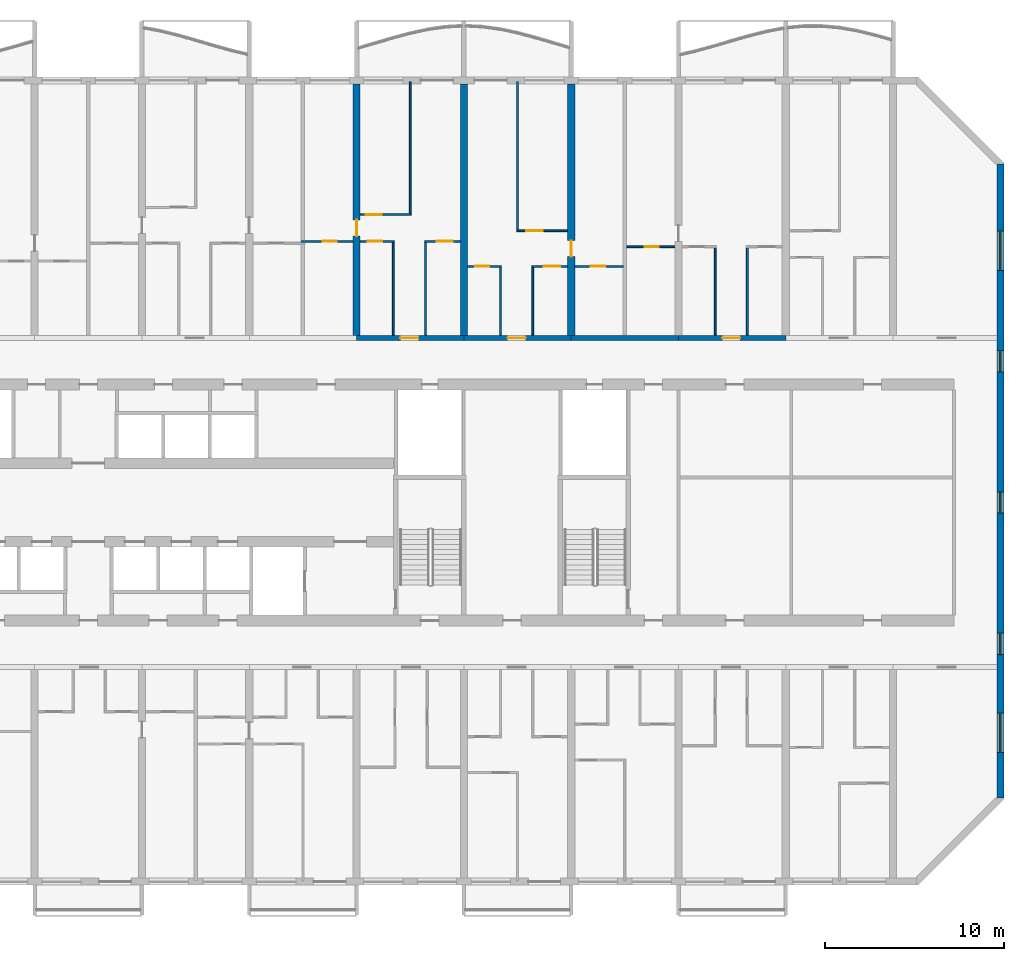
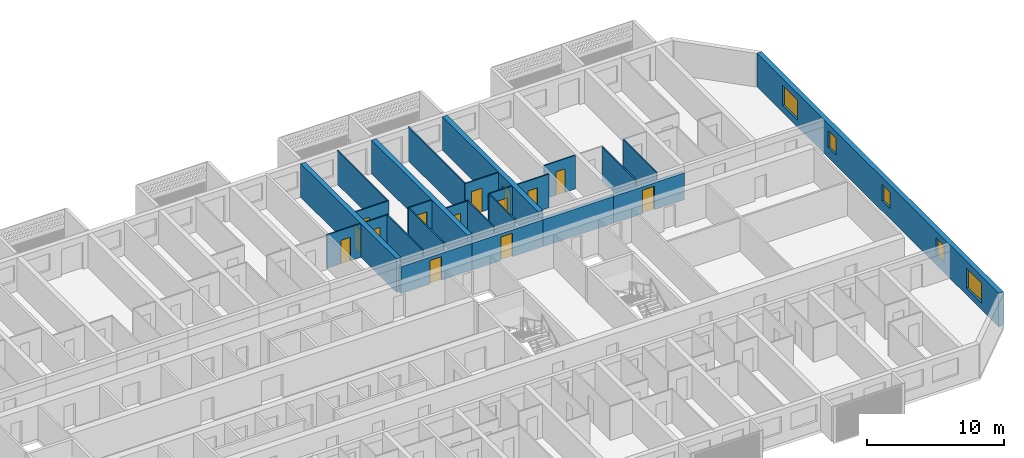
# One storey, part 16 of 38: 25 walls, 14 doors, 5 windows, 19 openings.
"""IFC4 building model written with IfcOpenShell, lengths in metres."""

import ifcopenshell
import ifcopenshell.guid

model = None  # the IFC model being written
_history = None  # IfcOwnerHistory: only IFC2X3 demands one
_inside = {}  # id of a spatial element -> (the spatial element, [elements in it])
_under = {}  # id of a project, library or spatial element -> (it, [spatial elements below it])
_declared = {}  # id of a project -> (the project, [libraries it declares])
_typed = {}  # id of a type object -> (the type object, [elements of that type])
_made_of = {}  # id of a material, layer set ... -> (it, [elements and type objects made of it])


def new_model(schema):
    """Start an empty IFC model of exactly this schema.

    Asked for "IFC4X3", IfcOpenShell would pick the latest addendum, in which some entities
    have other attributes; the version numbers below select the first issue.
    IFC2X3 requires an IfcOwnerHistory on every rooted entity: one is made here for all.
    """
    global model, _history
    if schema == "IFC4X3":
        model = ifcopenshell.file(schema_version=(4, 3, 0, 0))
    else:
        model = ifcopenshell.file(schema=schema)
    _inside.clear()
    _under.clear()
    _declared.clear()
    _typed.clear()
    _made_of.clear()
    _history = None
    if model.schema == "IFC2X3":
        org = make("IfcOrganization", Name="unknown")
        user = make(
            "IfcPersonAndOrganization",
            ThePerson=make("IfcPerson", FamilyName="unknown"),
            TheOrganization=org,
        )
        app = make(
            "IfcApplication",
            ApplicationDeveloper=org,
            Version="unknown",
            ApplicationFullName="unknown",
            ApplicationIdentifier="unknown",
        )
        _history = make(
            "IfcOwnerHistory",
            OwningUser=user,
            OwningApplication=app,
            ChangeAction="ADDED",
            CreationDate=0,
        )
    return model


def make(cls, **values):
    """One entity of the class cls with the attributes given. An attribute that is None is left unset."""
    return model.create_entity(
        cls, **{name: value for name, value in values.items() if value is not None}
    )


def rooted(cls, **values):
    """An entity with a GlobalId (a new one), such as an element, a storey or a relation."""
    return make(cls, GlobalId=ifcopenshell.guid.new(), OwnerHistory=_history, **values)


def si_unit(unit_type, name, prefix=None):
    """IfcSIUnit, for example si_unit("LENGTHUNIT", "METRE", prefix="MILLI")."""
    return make("IfcSIUnit", UnitType=unit_type, Prefix=prefix, Name=name)


def assignment(units):
    """IfcUnitAssignment: the units of a project."""
    return None if units is None else make("IfcUnitAssignment", Units=units)


def point(xyz):
    """IfcCartesianPoint."""
    return None if xyz is None else make("IfcCartesianPoint", Coordinates=xyz)


def direction(xyz):
    """IfcDirection."""
    return None if xyz is None else make("IfcDirection", DirectionRatios=xyz)


def frame(location, z_axis=None, x_axis=None):
    """IfcAxis2Placement3D, a coordinate frame: its origin and axes. An axis left out is left unset."""
    return make(
        "IfcAxis2Placement3D",
        Location=point(location),
        Axis=direction(z_axis),
        RefDirection=direction(x_axis),
    )


def frame_2d(location, x_axis=None):
    """IfcAxis2Placement2D, a coordinate frame in the plane: its origin and x axis."""
    return make(
        "IfcAxis2Placement2D", Location=point(location), RefDirection=direction(x_axis)
    )


def origin():
    """The frame at (0, 0, 0) with its axes left unset."""
    return frame((0.0, 0.0, 0.0))


def place(relative_to, where):
    """IfcLocalPlacement: puts the frame where relative to a parent placement (None: the world)."""
    return make(
        "IfcLocalPlacement", PlacementRelTo=relative_to, RelativePlacement=where
    )


def context(
    kind, dimensions, precision=None, world=None, true_north=None, identifier=None
):
    """IfcGeometricRepresentationContext, for example the 3D "Model" context."""
    return make(
        "IfcGeometricRepresentationContext",
        ContextIdentifier=identifier,
        ContextType=kind,
        CoordinateSpaceDimension=dimensions,
        Precision=precision,
        WorldCoordinateSystem=world,
        TrueNorth=true_north,
    )


def subcontext(parent, identifier, kind, view, scale=None):
    """IfcGeometricRepresentationSubContext, for example "Body" below "Model"."""
    return make(
        "IfcGeometricRepresentationSubContext",
        ContextIdentifier=identifier,
        ContextType=kind,
        ParentContext=parent,
        TargetScale=scale,
        TargetView=view,
    )


def project(units=None, contexts=None):
    """IfcProject with its units and contexts."""
    return rooted(
        "IfcProject",
        Name="project",
        RepresentationContexts=contexts,
        UnitsInContext=assignment(units),
    )


def spatial(cls, under=None, at=None, **own):
    """A site, building, storey or space (cls), placed at a placement, below another one or the project."""
    s = rooted(cls, ObjectPlacement=at, **own)
    if under is not None:
        _under.setdefault(under.id(), (under, []))[1].append(s)
    return s


def profile(cls, at=None, kind="AREA", **sizes):
    """A parametric profile (cls). Its sizes go by their IFC names, for example OverallWidth=200.0."""
    return make(cls, ProfileType=kind, Position=at, **sizes)


def rectangle(**sizes):
    """IfcRectangleProfileDef."""
    return profile("IfcRectangleProfileDef", **sizes)


def extrude(swept, where, along, depth):
    """IfcExtrudedAreaSolid: the profile swept, set in the frame where, extruded along a direction by depth."""
    return make(
        "IfcExtrudedAreaSolid",
        SweptArea=swept,
        Position=where,
        ExtrudedDirection=direction(along),
        Depth=depth,
    )


def shape(context_of_items, identifier, shape_type, items):
    """IfcShapeRepresentation: the items that make up one representation, for example the "Body"."""
    return make(
        "IfcShapeRepresentation",
        ContextOfItems=context_of_items,
        RepresentationIdentifier=identifier,
        RepresentationType=shape_type,
        Items=items,
    )


def material(Name=None, Category=None):
    """IfcMaterial."""
    return make("IfcMaterial", Name=Name, Category=Category)


def layer(
    of_material, thickness, ventilated=None, Name=None, Category=None, Priority=None
):
    """IfcMaterialLayer: one layer of a wall or slab, of a material (None: an air gap)."""
    return make(
        "IfcMaterialLayer",
        Material=of_material,
        LayerThickness=thickness,
        IsVentilated=ventilated,
        Name=Name,
        Category=Category,
        Priority=Priority,
    )


def layer_set(layers, Name=None):
    """IfcMaterialLayerSet."""
    return make("IfcMaterialLayerSet", MaterialLayers=layers, LayerSetName=Name)


def made_of(thing, what):
    """Note that an element or type object is made of a material, layer set ...; save() writes the relation."""
    if what is not None:
        _made_of.setdefault(what.id(), (what, []))[1].append(thing)
    return thing


def type_object(cls, material=None, **own):
    """A type object (cls), such as IfcWallType, which elements share."""
    return made_of(rooted(cls, **own), material)


def element(
    cls,
    number,
    at=None,
    inside=None,
    cuts=None,
    type_object=None,
    material=None,
    context=None,
    identifier="Body",
    shape_type=None,
    held_by="IfcProductDefinitionShape",
    body=None,
    shapes=None,
    **own,
):
    """One element of the class cls, such as IfcWall. Its Tag is "e" and its number.

    at: its placement. inside: the storey or other place that contains it. cuts: it is an
    opening in that element (IfcRelVoidsElement). A single representation is given by context,
    identifier, shape_type and body (its items); several are given by shapes. held_by: the class
    of the entity that holds the representations. save() writes the other relations.
    """
    e = rooted(cls, Tag="e%d" % number, ObjectPlacement=at, **own)
    if body is not None:
        shapes = [shape(context, identifier, shape_type, body)]
    if shapes is not None:
        e.Representation = make(held_by, Representations=shapes)
    if inside is not None:
        _inside.setdefault(inside.id(), (inside, []))[1].append(e)
    if cuts is not None:
        rooted(
            "IfcRelVoidsElement", RelatingBuildingElement=cuts, RelatedOpeningElement=e
        )
    if type_object is not None:
        _typed.setdefault(type_object.id(), (type_object, []))[1].append(e)
    return made_of(e, material)


def fill(opening, filler):
    """IfcRelFillsElement: the door or window that sits in an opening."""
    return rooted(
        "IfcRelFillsElement",
        RelatingOpeningElement=opening,
        RelatedBuildingElement=filler,
    )


def aggregate(whole, parts):
    """IfcRelAggregates: a whole, such as a stair, and the parts it consists of."""
    return rooted("IfcRelAggregates", RelatingObject=whole, RelatedObjects=parts)


def save(model, path):
    """Write the relations noted so far, then the file.

    IfcRelAggregates (storeys below a building ...), IfcRelContainedInSpatialStructure (elements
    in a storey), IfcRelDefinesByType, IfcRelAssociatesMaterial and IfcRelDeclares: one each for
    every whole, place, type object, material and project.
    """
    for whole, parts in _under.values():
        aggregate(whole, parts)
    for where, things in _inside.values():
        rooted(
            "IfcRelContainedInSpatialStructure",
            RelatedElements=things,
            RelatingStructure=where,
        )
    for kind, things in _typed.values():
        rooted("IfcRelDefinesByType", RelatedObjects=things, RelatingType=kind)
    for what, things in _made_of.values():
        rooted("IfcRelAssociatesMaterial", RelatedObjects=things, RelatingMaterial=what)
    for by, libraries in _declared.values():
        rooted("IfcRelDeclares", RelatingContext=by, RelatedDefinitions=libraries)
    model.write(path)


model = new_model("IFC4")

# Units and contexts
model_context = context("Model", 3, precision=1e-05, world=origin(), true_north=direction((0.0, 1.0)))
body_context = subcontext(model_context, "Body", "Model", "MODEL_VIEW")
ifc_project = project(units=[si_unit("LENGTHUNIT", "METRE"), si_unit("AREAUNIT", "SQUARE_METRE"), si_unit("VOLUMEUNIT", "CUBIC_METRE"), si_unit("PLANEANGLEUNIT", "RADIAN"), si_unit("MASSUNIT", "GRAM", prefix="KILO")], contexts=[model_context])

# Site, building, storey
site_placement = place(None, origin())
site = spatial("IfcSite", under=ifc_project, at=site_placement, CompositionType="ELEMENT")
building_placement = place(site_placement, origin())
building = spatial("IfcBuilding", under=site, at=building_placement, Name="Poui Terraces", CompositionType="ELEMENT")
storey_placement = place(building_placement, frame((0.0, 0.0, 49.800048828125)))
storey = spatial("IfcBuildingStorey", under=building, at=storey_placement, Name="L13", CompositionType="ELEMENT", Elevation=49.800048828125)

# Wall, opening, door
ifc_material_1 = material(Name="Concrete 80 MPa", Category="concrete")
ifc_layer_1 = layer(ifc_material_1, 0.300048828125)
ifc_layer_set_1 = layer_set([ifc_layer_1], Name="Concrete 80 MPa")
wall_type_1 = type_object("IfcWallType", Name="CORRIDOR WALL 300 80MPa", PredefinedType="SHEAR", material=ifc_layer_set_1)
wall_1_placement = place(storey_placement, frame((66.0, 30.39990234375, 0.0), z_axis=(0.0, 0.0, 1.0), x_axis=(1.0, 0.0, 0.0)))
wall_1 = element("IfcWall", 1, at=wall_1_placement, inside=storey, type_object=wall_type_1, Name="CORRIDOR WALL LINE E BAY 12", PredefinedType="SHEAR", context=body_context, shape_type="SweptSolid", body=[
    extrude(rectangle(XDim=6.0, YDim=0.300048828125, at=frame_2d((3.0, 0.0))), origin(), (0.0, 0.0, 1.0), 2.39990234375),
])
opening_1_placement = place(wall_1_placement, frame((2.449951171875, 0.0, 0.0)))
opening_1 = element("IfcOpeningElement", 2, at=opening_1_placement, cuts=wall_1, Name="Opening FD30S", PredefinedType="OPENING", context=body_context, shape_type="SweptSolid", body=[
    extrude(rectangle(XDim=1.0, YDim=2.10009765625, at=frame_2d((0.5, 1.050048828125))), frame((0.0, 0.16015625, 0.0), z_axis=(0.0, -1.0, 0.0), x_axis=(1.0, 0.0, 0.0)), (0.0, 0.0, 1.0), 0.320068359375),
])
ifc_material_2 = material(Name="Steel fire door", Category="steel")
door_type_1 = type_object("IfcDoorType", Name="FLAT ENTRANCE DOOR 1000 X 2100", OperationType="NOTDEFINED", PredefinedType="DOOR", material=ifc_material_2)
door_1_placement = place(opening_1_placement, origin())
door_1 = element("IfcDoor", 3, at=door_1_placement, inside=storey, type_object=door_type_1, Name="FLAT ENTRANCE DOOR 073", OperationType="SINGLE_SWING_LEFT", OverallHeight=2.10009765625, OverallWidth=1.0, PredefinedType="DOOR", context=body_context, shape_type="SweptSolid", body=[
    extrude(rectangle(XDim=1.0, YDim=2.10009765625, at=frame_2d((0.5, 1.050048828125))), frame((0.0, 0.02490234375, 0.0), z_axis=(0.0, -1.0, 0.0), x_axis=(1.0, 0.0, 0.0)), (0.0, 0.0, 1.0), 0.050048828125),
])
fill(opening_1, door_1)

wall_2_placement = place(storey_placement, frame((72.0, 30.39990234375, 0.0), z_axis=(0.0, 0.0, 1.0), x_axis=(1.0, 0.0, 0.0)))
wall_2 = element("IfcWall", 4, at=wall_2_placement, inside=storey, type_object=wall_type_1, Name="CORRIDOR WALL LINE E BAY 13", PredefinedType="SHEAR", context=body_context, shape_type="SweptSolid", body=[
    extrude(rectangle(XDim=6.0, YDim=0.300048828125, at=frame_2d((3.0, 0.0))), origin(), (0.0, 0.0, 1.0), 2.39990234375),
])
opening_2_placement = place(wall_2_placement, frame((2.449951171875, 0.0, 0.0)))
opening_2 = element("IfcOpeningElement", 5, at=opening_2_placement, cuts=wall_2, Name="Opening FD30S", PredefinedType="OPENING", context=body_context, shape_type="SweptSolid", body=[
    extrude(rectangle(XDim=1.0, YDim=2.10009765625, at=frame_2d((0.5, 1.050048828125))), frame((0.0, 0.16015625, 0.0), z_axis=(0.0, -1.0, 0.0), x_axis=(1.0, 0.0, 0.0)), (0.0, 0.0, 1.0), 0.320068359375),
])
door_2_placement = place(opening_2_placement, origin())
door_2 = element("IfcDoor", 6, at=door_2_placement, inside=storey, type_object=door_type_1, Name="FLAT ENTRANCE DOOR 077", OperationType="SINGLE_SWING_LEFT", OverallHeight=2.10009765625, OverallWidth=1.0, PredefinedType="DOOR", context=body_context, shape_type="SweptSolid", body=[
    extrude(rectangle(XDim=1.0, YDim=2.10009765625, at=frame_2d((0.5, 1.050048828125))), frame((0.0, 0.02490234375, 0.0), z_axis=(0.0, -1.0, 0.0), x_axis=(1.0, 0.0, 0.0)), (0.0, 0.0, 1.0), 0.050048828125),
])
fill(opening_2, door_2)

# Wall
wall_3_placement = place(storey_placement, frame((78.0, 30.39990234375, 0.0), z_axis=(0.0, 0.0, 1.0), x_axis=(1.0, 0.0, 0.0)))
element("IfcWall", 7, at=wall_3_placement, inside=storey, type_object=wall_type_1, Name="CORRIDOR WALL LINE E BAY 14", PredefinedType="SHEAR", context=body_context, shape_type="SweptSolid", body=[
    extrude(rectangle(XDim=6.0, YDim=0.300048828125, at=frame_2d((3.0, 0.0))), origin(), (0.0, 0.0, 1.0), 2.39990234375),
])

# Wall, opening, door
wall_4_placement = place(storey_placement, frame((84.0, 30.39990234375, 0.0), z_axis=(0.0, 0.0, 1.0), x_axis=(1.0, 0.0, 0.0)))
wall_4 = element("IfcWall", 8, at=wall_4_placement, inside=storey, type_object=wall_type_1, Name="CORRIDOR WALL LINE E BAY 15", PredefinedType="SHEAR", context=body_context, shape_type="SweptSolid", body=[
    extrude(rectangle(XDim=6.0, YDim=0.300048828125, at=frame_2d((3.0, 0.0))), origin(), (0.0, 0.0, 1.0), 2.39990234375),
])
opening_3_placement = place(wall_4_placement, frame((2.449951171875, 0.0, 0.0)))
opening_3 = element("IfcOpeningElement", 9, at=opening_3_placement, cuts=wall_4, Name="Opening FD30S", PredefinedType="OPENING", context=body_context, shape_type="SweptSolid", body=[
    extrude(rectangle(XDim=1.0, YDim=2.10009765625, at=frame_2d((0.5, 1.050048828125))), frame((0.0, 0.16015625, 0.0), z_axis=(0.0, -1.0, 0.0), x_axis=(1.0, 0.0, 0.0)), (0.0, 0.0, 1.0), 0.320068359375),
])
door_3_placement = place(opening_3_placement, origin())
door_3 = element("IfcDoor", 10, at=door_3_placement, inside=storey, type_object=door_type_1, Name="FLAT ENTRANCE DOOR 084", OperationType="SINGLE_SWING_LEFT", OverallHeight=2.10009765625, OverallWidth=1.0, PredefinedType="DOOR", context=body_context, shape_type="SweptSolid", body=[
    extrude(rectangle(XDim=1.0, YDim=2.10009765625, at=frame_2d((0.5, 1.050048828125))), frame((0.0, 0.02490234375, 0.0), z_axis=(0.0, -1.0, 0.0), x_axis=(1.0, 0.0, 0.0)), (0.0, 0.0, 1.0), 0.050048828125),
])
fill(opening_3, door_3)

ifc_layer_2 = layer(ifc_material_1, 0.39990234375)
ifc_layer_set_2 = layer_set([ifc_layer_2], Name="Concrete 80 MPa")
wall_type_2 = type_object("IfcWallType", Name="CROSS WALL 400 80MPa", PredefinedType="SHEAR", material=ifc_layer_set_2)
wall_5_placement = place(storey_placement, frame((66.0, 30.550048828125, 0.0), z_axis=(0.0, 0.0, 1.0), x_axis=(0.0, 1.0, 0.0)))
wall_5 = element("IfcWall", 11, at=wall_5_placement, inside=storey, type_object=wall_type_2, Name="CROSS WALL LINE 12 NORTH", PredefinedType="SHEAR", context=body_context, shape_type="SweptSolid", body=[
    extrude(rectangle(XDim=14.050048828125, YDim=0.39990234375, at=frame_2d((7.02490234375, 0.0))), origin(), (0.0, 0.0, 1.0), 3.0),
])
opening_4_placement = place(wall_5_placement, frame((5.550048828125, 0.0, 0.0)))
opening_4 = element("IfcOpeningElement", 12, at=opening_4_placement, cuts=wall_5, Name="Opening D90", PredefinedType="OPENING", context=body_context, shape_type="SweptSolid", body=[
    extrude(rectangle(XDim=0.89990234375, YDim=2.10009765625, at=frame_2d((0.449951171875, 1.050048828125))), frame((0.0, 0.2099609375, 0.0), z_axis=(0.0, -1.0, 0.0), x_axis=(1.0, 0.0, 0.0)), (0.0, 0.0, 1.0), 0.419921875),
])
ifc_material_3 = material(Name="Solid core timber door", Category="wood")
door_type_2 = type_object("IfcDoorType", Name="INTERNAL DOOR 900 X 2100", OperationType="NOTDEFINED", PredefinedType="DOOR", material=ifc_material_3)
door_4_placement = place(opening_4_placement, origin())
door_4 = element("IfcDoor", 13, at=door_4_placement, inside=storey, type_object=door_type_2, Name="INTERNAL DOOR 070", OperationType="SINGLE_SWING_LEFT", OverallHeight=2.10009765625, OverallWidth=0.89990234375, PredefinedType="DOOR", context=body_context, shape_type="SweptSolid", body=[
    extrude(rectangle(XDim=0.89990234375, YDim=2.10009765625, at=frame_2d((0.449951171875, 1.050048828125))), frame((0.0, 0.02490234375, 0.0), z_axis=(0.0, -1.0, 0.0), x_axis=(1.0, 0.0, 0.0)), (0.0, 0.0, 1.0), 0.050048828125),
])
fill(opening_4, door_4)

# Wall
wall_6_placement = place(storey_placement, frame((72.0, 30.550048828125, 0.0), z_axis=(0.0, 0.0, 1.0), x_axis=(0.0, 1.0, 0.0)))
element("IfcWall", 14, at=wall_6_placement, inside=storey, type_object=wall_type_2, Name="CROSS WALL LINE 13 NORTH", PredefinedType="SHEAR", context=body_context, shape_type="SweptSolid", body=[
    extrude(rectangle(XDim=14.050048828125, YDim=0.39990234375, at=frame_2d((7.02490234375, 0.0))), origin(), (0.0, 0.0, 1.0), 3.0),
])

# Wall, opening, door
wall_7_placement = place(storey_placement, frame((78.0, 30.550048828125, 0.0), z_axis=(0.0, 0.0, 1.0), x_axis=(0.0, 1.0, 0.0)))
wall_7 = element("IfcWall", 15, at=wall_7_placement, inside=storey, type_object=wall_type_2, Name="CROSS WALL LINE 14 NORTH", PredefinedType="SHEAR", context=body_context, shape_type="SweptSolid", body=[
    extrude(rectangle(XDim=14.050048828125, YDim=0.39990234375, at=frame_2d((7.02490234375, 0.0))), origin(), (0.0, 0.0, 1.0), 3.0),
])
opening_5_placement = place(wall_7_placement, frame((4.39990234375, 0.0, 0.0)))
opening_5 = element("IfcOpeningElement", 16, at=opening_5_placement, cuts=wall_7, Name="Opening D90", PredefinedType="OPENING", context=body_context, shape_type="SweptSolid", body=[
    extrude(rectangle(XDim=0.89990234375, YDim=2.10009765625, at=frame_2d((0.449951171875, 1.050048828125))), frame((0.0, 0.2099609375, 0.0), z_axis=(0.0, -1.0, 0.0), x_axis=(1.0, 0.0, 0.0)), (0.0, 0.0, 1.0), 0.419921875),
])
door_5_placement = place(opening_5_placement, frame((0.89990234375, 0.0, 0.0), z_axis=(0.0, 0.0, 1.0), x_axis=(-1.0, 0.0, 0.0)))
door_5 = element("IfcDoor", 17, at=door_5_placement, inside=storey, type_object=door_type_2, Name="INTERNAL DOOR 080", OperationType="SINGLE_SWING_RIGHT", OverallHeight=2.10009765625, OverallWidth=0.89990234375, PredefinedType="DOOR", context=body_context, shape_type="SweptSolid", body=[
    extrude(rectangle(XDim=0.89990234375, YDim=2.10009765625, at=frame_2d((0.449951171875, 1.050048828125))), frame((0.0, 0.02490234375, 0.0), z_axis=(0.0, -1.0, 0.0), x_axis=(1.0, 0.0, 0.0)), (0.0, 0.0, 1.0), 0.050048828125),
])
fill(opening_5, door_5)

# Wall, openings, windows
ifc_layer_3 = layer(ifc_material_1, 0.39990234375)
ifc_layer_set_3 = layer_set([ifc_layer_3], Name="Concrete 80 MPa")
wall_type_3 = type_object("IfcWallType", Name="END WALL 400 80MPa", PredefinedType="SHEAR", material=ifc_layer_set_3)
wall_8_placement = place(storey_placement, frame((102.0, 4.682861328125, 0.0), z_axis=(0.0, 0.0, 1.0), x_axis=(0.0, 1.0, 0.0)))
wall_8 = element("IfcWall", 18, at=wall_8_placement, inside=storey, type_object=wall_type_3, Name="END WALL EAST", PredefinedType="SHEAR", context=body_context, shape_type="SweptSolid", body=[
    extrude(rectangle(XDim=35.434326171875, YDim=0.39990234375, at=frame_2d((17.71728515625, 0.0))), origin(), (0.0, 0.0, 1.0), 3.0),
])
opening_6_placement = place(wall_8_placement, frame((15.917236328125, 0.0, 0.89990234375)))
opening_6 = element("IfcOpeningElement", 19, at=opening_6_placement, cuts=wall_8, Name="Opening W2", PredefinedType="OPENING", context=body_context, shape_type="SweptSolid", body=[
    extrude(rectangle(XDim=1.199951171875, YDim=1.5, at=frame_2d((0.60009765625, 0.75))), frame((0.0, 0.2099609375, 0.0), z_axis=(0.0, -1.0, 0.0), x_axis=(1.0, 0.0, 0.0)), (0.0, 0.0, 1.0), 0.419921875),
])
opening_7_placement = place(wall_8_placement, frame((23.817138671875, 0.0, 0.89990234375)))
opening_7 = element("IfcOpeningElement", 20, at=opening_7_placement, cuts=wall_8, Name="Opening W2", PredefinedType="OPENING", context=body_context, shape_type="SweptSolid", body=[
    extrude(rectangle(XDim=1.199951171875, YDim=1.5, at=frame_2d((0.60009765625, 0.75))), frame((0.0, 0.2099609375, 0.0), z_axis=(0.0, -1.0, 0.0), x_axis=(1.0, 0.0, 0.0)), (0.0, 0.0, 1.0), 0.419921875),
])
opening_8_placement = place(wall_8_placement, frame((8.01708984375, 0.0, 0.89990234375)))
opening_8 = element("IfcOpeningElement", 21, at=opening_8_placement, cuts=wall_8, Name="Opening W2", PredefinedType="OPENING", context=body_context, shape_type="SweptSolid", body=[
    extrude(rectangle(XDim=1.199951171875, YDim=1.5, at=frame_2d((0.60009765625, 0.75))), frame((0.0, 0.2099609375, 0.0), z_axis=(0.0, -1.0, 0.0), x_axis=(1.0, 0.0, 0.0)), (0.0, 0.0, 1.0), 0.419921875),
])
opening_9_placement = place(wall_8_placement, frame((29.493408203125, 0.0, 0.60009765625)))
opening_9 = element("IfcOpeningElement", 22, at=opening_9_placement, cuts=wall_8, Name="Opening W3", PredefinedType="OPENING", context=body_context, shape_type="SweptSolid", body=[
    extrude(rectangle(XDim=2.199951171875, YDim=1.800048828125, at=frame_2d((1.10009765625, 0.89990234375))), frame((0.0, 0.2099609375, 0.0), z_axis=(0.0, -1.0, 0.0), x_axis=(1.0, 0.0, 0.0)), (0.0, 0.0, 1.0), 0.419921875),
])
opening_10_placement = place(wall_8_placement, frame((2.541015625, 0.0, 0.60009765625)))
opening_10 = element("IfcOpeningElement", 23, at=opening_10_placement, cuts=wall_8, Name="Opening W3", PredefinedType="OPENING", context=body_context, shape_type="SweptSolid", body=[
    extrude(rectangle(XDim=2.199951171875, YDim=1.800048828125, at=frame_2d((1.10009765625, 0.89990234375))), frame((0.0, 0.2099609375, 0.0), z_axis=(0.0, -1.0, 0.0), x_axis=(1.0, 0.0, 0.0)), (0.0, 0.0, 1.0), 0.419921875),
])
ifc_material_4 = material(Name="Clear glass in aluminium frame", Category="aluminium")
window_type_1 = type_object("IfcWindowType", Name="WINDOW 1200X1500", PartitioningType="SINGLE_PANEL", PredefinedType="WINDOW", material=ifc_material_4)
window_1_placement = place(opening_6_placement, origin())
window_1 = element("IfcWindow", 24, at=window_1_placement, inside=storey, type_object=window_type_1, Name="W2 WINDOW", OverallHeight=1.5, OverallWidth=1.199951171875, PartitioningType="SINGLE_PANEL", PredefinedType="WINDOW", context=body_context, shape_type="SweptSolid", body=[
    extrude(rectangle(XDim=1.199951171875, YDim=1.5, at=frame_2d((0.60009765625, 0.75))), frame((0.0, 0.030029296875, 0.0), z_axis=(0.0, -1.0, 0.0), x_axis=(1.0, 0.0, 0.0)), (0.0, 0.0, 1.0), 0.06005859375),
])
fill(opening_6, window_1)
window_2_placement = place(opening_7_placement, origin())
window_2 = element("IfcWindow", 25, at=window_2_placement, inside=storey, type_object=window_type_1, Name="W2 WINDOW", OverallHeight=1.5, OverallWidth=1.199951171875, PartitioningType="SINGLE_PANEL", PredefinedType="WINDOW", context=body_context, shape_type="SweptSolid", body=[
    extrude(rectangle(XDim=1.199951171875, YDim=1.5, at=frame_2d((0.60009765625, 0.75))), frame((0.0, 0.030029296875, 0.0), z_axis=(0.0, -1.0, 0.0), x_axis=(1.0, 0.0, 0.0)), (0.0, 0.0, 1.0), 0.06005859375),
])
fill(opening_7, window_2)
window_3_placement = place(opening_8_placement, origin())
window_3 = element("IfcWindow", 26, at=window_3_placement, inside=storey, type_object=window_type_1, Name="W2 WINDOW", OverallHeight=1.5, OverallWidth=1.199951171875, PartitioningType="SINGLE_PANEL", PredefinedType="WINDOW", context=body_context, shape_type="SweptSolid", body=[
    extrude(rectangle(XDim=1.199951171875, YDim=1.5, at=frame_2d((0.60009765625, 0.75))), frame((0.0, 0.030029296875, 0.0), z_axis=(0.0, -1.0, 0.0), x_axis=(1.0, 0.0, 0.0)), (0.0, 0.0, 1.0), 0.06005859375),
])
fill(opening_8, window_3)
window_type_2 = type_object("IfcWindowType", Name="WINDOW 2200X1800", PartitioningType="DOUBLE_PANEL_HORIZONTAL", PredefinedType="WINDOW", material=ifc_material_4)
window_4_placement = place(opening_9_placement, origin())
window_4 = element("IfcWindow", 27, at=window_4_placement, inside=storey, type_object=window_type_2, Name="W3 WINDOW", OverallHeight=1.800048828125, OverallWidth=2.199951171875, PartitioningType="DOUBLE_PANEL_HORIZONTAL", PredefinedType="WINDOW", context=body_context, shape_type="SweptSolid", body=[
    extrude(rectangle(XDim=2.199951171875, YDim=1.800048828125, at=frame_2d((1.10009765625, 0.89990234375))), frame((0.0, 0.030029296875, 0.0), z_axis=(0.0, -1.0, 0.0), x_axis=(1.0, 0.0, 0.0)), (0.0, 0.0, 1.0), 0.06005859375),
])
fill(opening_9, window_4)
window_5_placement = place(opening_10_placement, origin())
window_5 = element("IfcWindow", 28, at=window_5_placement, inside=storey, type_object=window_type_2, Name="W3 WINDOW", OverallHeight=1.800048828125, OverallWidth=2.199951171875, PartitioningType="DOUBLE_PANEL_HORIZONTAL", PredefinedType="WINDOW", context=body_context, shape_type="SweptSolid", body=[
    extrude(rectangle(XDim=2.199951171875, YDim=1.800048828125, at=frame_2d((1.10009765625, 0.89990234375))), frame((0.0, 0.030029296875, 0.0), z_axis=(0.0, -1.0, 0.0), x_axis=(1.0, 0.0, 0.0)), (0.0, 0.0, 1.0), 0.06005859375),
])
fill(opening_10, window_5)

# Wall, opening, door
ifc_material_5 = material(Name="Plasterboard partition")
ifc_layer_4 = layer(ifc_material_5, 0.10009765625)
ifc_layer_set_4 = layer_set([ifc_layer_4], Name="Plasterboard partition")
wall_type_4 = type_object("IfcWallType", Name="FLAT PARTITION 100", PredefinedType="PARTITIONING", material=ifc_layer_set_4)
wall_9_placement = place(storey_placement, frame((72.2099609375, 34.39990234375, 0.0), z_axis=(0.0, 0.0, 1.0), x_axis=(1.0, 0.0, 0.0)))
wall_9 = element("IfcWall", 29, at=wall_9_placement, inside=storey, type_object=wall_type_4, Name="FLAT PARTITION 100", PredefinedType="PARTITIONING", context=body_context, shape_type="SweptSolid", body=[
    extrude(rectangle(XDim=1.89013671875, YDim=0.10009765625, at=frame_2d((0.945068359375, 0.0))), origin(), (0.0, 0.0, 1.0), 3.0),
])
opening_11_placement = place(wall_9_placement, frame((0.4150390625, 0.0, 0.0)))
opening_11 = element("IfcOpeningElement", 30, at=opening_11_placement, cuts=wall_9, Name="Opening D80", PredefinedType="OPENING", context=body_context, shape_type="SweptSolid", body=[
    extrude(rectangle(XDim=0.800048828125, YDim=2.10009765625, at=frame_2d((0.39990234375, 1.050048828125))), frame((0.0, 0.06005859375, 0.0), z_axis=(0.0, -1.0, 0.0), x_axis=(1.0, 0.0, 0.0)), (0.0, 0.0, 1.0), 0.1201171875),
])
door_type_3 = type_object("IfcDoorType", Name="BATHROOM, LAUNDRY AND STORE DOOR 800 X 2100", OperationType="NOTDEFINED", PredefinedType="DOOR", material=ifc_material_3)
door_6_placement = place(opening_11_placement, frame((0.800048828125, 0.0, 0.0), z_axis=(0.0, 0.0, 1.0), x_axis=(-1.0, 0.0, 0.0)))
door_6 = element("IfcDoor", 31, at=door_6_placement, inside=storey, type_object=door_type_3, Name="BATHROOM, LAUNDRY AND STORE DOOR 076", OperationType="SINGLE_SWING_LEFT", OverallHeight=2.10009765625, OverallWidth=0.800048828125, PredefinedType="DOOR", context=body_context, shape_type="SweptSolid", body=[
    extrude(rectangle(XDim=0.800048828125, YDim=2.10009765625, at=frame_2d((0.39990234375, 1.050048828125))), frame((0.0, 0.02490234375, 0.0), z_axis=(0.0, -1.0, 0.0), x_axis=(1.0, 0.0, 0.0)), (0.0, 0.0, 1.0), 0.050048828125),
])
fill(opening_11, door_6)

wall_10_placement = place(storey_placement, frame((75.800048828125, 34.39990234375, 0.0), z_axis=(0.0, 0.0, 1.0), x_axis=(1.0, 0.0, 0.0)))
wall_10 = element("IfcWall", 32, at=wall_10_placement, inside=storey, type_object=wall_type_4, Name="FLAT PARTITION 100", PredefinedType="PARTITIONING", context=body_context, shape_type="SweptSolid", body=[
    extrude(rectangle(XDim=1.989990234375, YDim=0.10009765625, at=frame_2d((0.9951171875, 0.0))), origin(), (0.0, 0.0, 1.0), 3.0),
])
opening_12_placement = place(wall_10_placement, frame((0.675048828125, 0.0, 0.0)))
opening_12 = element("IfcOpeningElement", 33, at=opening_12_placement, cuts=wall_10, Name="Opening D90", PredefinedType="OPENING", context=body_context, shape_type="SweptSolid", body=[
    extrude(rectangle(XDim=0.89990234375, YDim=2.10009765625, at=frame_2d((0.449951171875, 1.050048828125))), frame((0.0, 0.06005859375, 0.0), z_axis=(0.0, -1.0, 0.0), x_axis=(1.0, 0.0, 0.0)), (0.0, 0.0, 1.0), 0.1201171875),
])
door_7_placement = place(opening_12_placement, frame((0.89990234375, 0.0, 0.0), z_axis=(0.0, 0.0, 1.0), x_axis=(-1.0, 0.0, 0.0)))
door_7 = element("IfcDoor", 34, at=door_7_placement, inside=storey, type_object=door_type_2, Name="INTERNAL DOOR 079", OperationType="SINGLE_SWING_RIGHT", OverallHeight=2.10009765625, OverallWidth=0.89990234375, PredefinedType="DOOR", context=body_context, shape_type="SweptSolid", body=[
    extrude(rectangle(XDim=0.89990234375, YDim=2.10009765625, at=frame_2d((0.449951171875, 1.050048828125))), frame((0.0, 0.02490234375, 0.0), z_axis=(0.0, -1.0, 0.0), x_axis=(1.0, 0.0, 0.0)), (0.0, 0.0, 1.0), 0.050048828125),
])
fill(opening_12, door_7)

wall_11_placement = place(storey_placement, frame((78.2099609375, 34.39990234375, 0.0), z_axis=(0.0, 0.0, 1.0), x_axis=(1.0, 0.0, 0.0)))
wall_11 = element("IfcWall", 35, at=wall_11_placement, inside=storey, type_object=wall_type_4, Name="FLAT PARTITION 100", PredefinedType="PARTITIONING", context=body_context, shape_type="SweptSolid", body=[
    extrude(rectangle(XDim=2.68994140625, YDim=0.10009765625, at=frame_2d((1.344970703125, 0.0))), origin(), (0.0, 0.0, 1.0), 3.0),
])
opening_13_placement = place(wall_11_placement, frame((0.889892578125, 0.0, 0.0)))
opening_13 = element("IfcOpeningElement", 36, at=opening_13_placement, cuts=wall_11, Name="Opening D80", PredefinedType="OPENING", context=body_context, shape_type="SweptSolid", body=[
    extrude(rectangle(XDim=0.800048828125, YDim=2.10009765625, at=frame_2d((0.39990234375, 1.050048828125))), frame((0.0, 0.06005859375, 0.0), z_axis=(0.0, -1.0, 0.0), x_axis=(1.0, 0.0, 0.0)), (0.0, 0.0, 1.0), 0.1201171875),
])
door_8_placement = place(opening_13_placement, frame((0.800048828125, 0.0, 0.0), z_axis=(0.0, 0.0, 1.0), x_axis=(-1.0, 0.0, 0.0)))
door_8 = element("IfcDoor", 37, at=door_8_placement, inside=storey, type_object=door_type_3, Name="BATHROOM, LAUNDRY AND STORE DOOR 075", OperationType="SINGLE_SWING_LEFT", OverallHeight=2.10009765625, OverallWidth=0.800048828125, PredefinedType="DOOR", context=body_context, shape_type="SweptSolid", body=[
    extrude(rectangle(XDim=0.800048828125, YDim=2.10009765625, at=frame_2d((0.39990234375, 1.050048828125))), frame((0.0, 0.02490234375, 0.0), z_axis=(0.0, -1.0, 0.0), x_axis=(1.0, 0.0, 0.0)), (0.0, 0.0, 1.0), 0.050048828125),
])
fill(opening_13, door_8)

wall_12_placement = place(storey_placement, frame((81.10009765625, 35.5, 0.0), z_axis=(0.0, 0.0, 1.0), x_axis=(1.0, 0.0, 0.0)))
wall_12 = element("IfcWall", 38, at=wall_12_placement, inside=storey, type_object=wall_type_4, Name="FLAT PARTITION 100", PredefinedType="PARTITIONING", context=body_context, shape_type="SweptSolid", body=[
    extrude(rectangle(XDim=2.68994140625, YDim=0.10009765625, at=frame_2d((1.344970703125, 0.0))), origin(), (0.0, 0.0, 1.0), 3.0),
])
opening_14_placement = place(wall_12_placement, frame((1.0, 0.0, 0.0)))
opening_14 = element("IfcOpeningElement", 39, at=opening_14_placement, cuts=wall_12, Name="Opening D80", PredefinedType="OPENING", context=body_context, shape_type="SweptSolid", body=[
    extrude(rectangle(XDim=0.800048828125, YDim=2.10009765625, at=frame_2d((0.39990234375, 1.050048828125))), frame((0.0, 0.06005859375, 0.0), z_axis=(0.0, -1.0, 0.0), x_axis=(1.0, 0.0, 0.0)), (0.0, 0.0, 1.0), 0.1201171875),
])
door_9_placement = place(opening_14_placement, frame((0.800048828125, 0.0, 0.0), z_axis=(0.0, 0.0, 1.0), x_axis=(-1.0, 0.0, 0.0)))
door_9 = element("IfcDoor", 40, at=door_9_placement, inside=storey, type_object=door_type_3, Name="BATHROOM, LAUNDRY AND STORE DOOR 081", OperationType="SINGLE_SWING_RIGHT", OverallHeight=2.10009765625, OverallWidth=0.800048828125, PredefinedType="DOOR", context=body_context, shape_type="SweptSolid", body=[
    extrude(rectangle(XDim=0.800048828125, YDim=2.10009765625, at=frame_2d((0.39990234375, 1.050048828125))), frame((0.0, 0.02490234375, 0.0), z_axis=(0.0, -1.0, 0.0), x_axis=(1.0, 0.0, 0.0)), (0.0, 0.0, 1.0), 0.050048828125),
])
fill(opening_14, door_9)

wall_13_placement = place(storey_placement, frame((62.89990234375, 35.800048828125, 0.0), z_axis=(0.0, 0.0, 1.0), x_axis=(1.0, 0.0, 0.0)))
wall_13 = element("IfcWall", 41, at=wall_13_placement, inside=storey, type_object=wall_type_4, Name="FLAT PARTITION 100", PredefinedType="PARTITIONING", context=body_context, shape_type="SweptSolid", body=[
    extrude(rectangle(XDim=2.89013671875, YDim=0.10009765625, at=frame_2d((1.445068359375, 0.0))), origin(), (0.0, 0.0, 1.0), 3.0),
])
opening_15_placement = place(wall_13_placement, frame((1.199951171875, 0.0, 0.0)))
opening_15 = element("IfcOpeningElement", 42, at=opening_15_placement, cuts=wall_13, Name="Opening D80", PredefinedType="OPENING", context=body_context, shape_type="SweptSolid", body=[
    extrude(rectangle(XDim=0.800048828125, YDim=2.10009765625, at=frame_2d((0.39990234375, 1.050048828125))), frame((0.0, 0.06005859375, 0.0), z_axis=(0.0, -1.0, 0.0), x_axis=(1.0, 0.0, 0.0)), (0.0, 0.0, 1.0), 0.1201171875),
])
door_10_placement = place(opening_15_placement, frame((0.800048828125, 0.0, 0.0), z_axis=(0.0, 0.0, 1.0), x_axis=(-1.0, 0.0, 0.0)))
door_10 = element("IfcDoor", 43, at=door_10_placement, inside=storey, type_object=door_type_3, Name="BATHROOM, LAUNDRY AND STORE DOOR 069", OperationType="SINGLE_SWING_RIGHT", OverallHeight=2.10009765625, OverallWidth=0.800048828125, PredefinedType="DOOR", context=body_context, shape_type="SweptSolid", body=[
    extrude(rectangle(XDim=0.800048828125, YDim=2.10009765625, at=frame_2d((0.39990234375, 1.050048828125))), frame((0.0, 0.02490234375, 0.0), z_axis=(0.0, -1.0, 0.0), x_axis=(1.0, 0.0, 0.0)), (0.0, 0.0, 1.0), 0.050048828125),
])
fill(opening_15, door_10)

wall_14_placement = place(storey_placement, frame((66.2099609375, 35.800048828125, 0.0), z_axis=(0.0, 0.0, 1.0), x_axis=(1.0, 0.0, 0.0)))
wall_14 = element("IfcWall", 44, at=wall_14_placement, inside=storey, type_object=wall_type_4, Name="FLAT PARTITION 100", PredefinedType="PARTITIONING", context=body_context, shape_type="SweptSolid", body=[
    extrude(rectangle(XDim=1.89013671875, YDim=0.10009765625, at=frame_2d((0.945068359375, 0.0))), origin(), (0.0, 0.0, 1.0), 3.0),
])
opening_16_placement = place(wall_14_placement, frame((0.4150390625, 0.0, 0.0)))
opening_16 = element("IfcOpeningElement", 45, at=opening_16_placement, cuts=wall_14, Name="Opening D80", PredefinedType="OPENING", context=body_context, shape_type="SweptSolid", body=[
    extrude(rectangle(XDim=0.800048828125, YDim=2.10009765625, at=frame_2d((0.39990234375, 1.050048828125))), frame((0.0, 0.06005859375, 0.0), z_axis=(0.0, -1.0, 0.0), x_axis=(1.0, 0.0, 0.0)), (0.0, 0.0, 1.0), 0.1201171875),
])
door_11_placement = place(opening_16_placement, frame((0.800048828125, 0.0, 0.0), z_axis=(0.0, 0.0, 1.0), x_axis=(-1.0, 0.0, 0.0)))
door_11 = element("IfcDoor", 46, at=door_11_placement, inside=storey, type_object=door_type_3, Name="BATHROOM, LAUNDRY AND STORE DOOR 072", OperationType="SINGLE_SWING_RIGHT", OverallHeight=2.10009765625, OverallWidth=0.800048828125, PredefinedType="DOOR", context=body_context, shape_type="SweptSolid", body=[
    extrude(rectangle(XDim=0.800048828125, YDim=2.10009765625, at=frame_2d((0.39990234375, 1.050048828125))), frame((0.0, 0.02490234375, 0.0), z_axis=(0.0, -1.0, 0.0), x_axis=(1.0, 0.0, 0.0)), (0.0, 0.0, 1.0), 0.050048828125),
])
fill(opening_16, door_11)

wall_15_placement = place(storey_placement, frame((69.800048828125, 35.800048828125, 0.0), z_axis=(0.0, 0.0, 1.0), x_axis=(1.0, 0.0, 0.0)))
wall_15 = element("IfcWall", 47, at=wall_15_placement, inside=storey, type_object=wall_type_4, Name="FLAT PARTITION 100", PredefinedType="PARTITIONING", context=body_context, shape_type="SweptSolid", body=[
    extrude(rectangle(XDim=1.989990234375, YDim=0.10009765625, at=frame_2d((0.9951171875, 0.0))), origin(), (0.0, 0.0, 1.0), 3.0),
])
opening_17_placement = place(wall_15_placement, frame((0.675048828125, 0.0, 0.0)))
opening_17 = element("IfcOpeningElement", 48, at=opening_17_placement, cuts=wall_15, Name="Opening D90", PredefinedType="OPENING", context=body_context, shape_type="SweptSolid", body=[
    extrude(rectangle(XDim=0.89990234375, YDim=2.10009765625, at=frame_2d((0.449951171875, 1.050048828125))), frame((0.0, 0.06005859375, 0.0), z_axis=(0.0, -1.0, 0.0), x_axis=(1.0, 0.0, 0.0)), (0.0, 0.0, 1.0), 0.1201171875),
])
door_12_placement = place(opening_17_placement, frame((0.89990234375, 0.0, 0.0), z_axis=(0.0, 0.0, 1.0), x_axis=(-1.0, 0.0, 0.0)))
door_12 = element("IfcDoor", 49, at=door_12_placement, inside=storey, type_object=door_type_2, Name="INTERNAL DOOR 074", OperationType="SINGLE_SWING_LEFT", OverallHeight=2.10009765625, OverallWidth=0.89990234375, PredefinedType="DOOR", context=body_context, shape_type="SweptSolid", body=[
    extrude(rectangle(XDim=0.89990234375, YDim=2.10009765625, at=frame_2d((0.449951171875, 1.050048828125))), frame((0.0, 0.02490234375, 0.0), z_axis=(0.0, -1.0, 0.0), x_axis=(1.0, 0.0, 0.0)), (0.0, 0.0, 1.0), 0.050048828125),
])
fill(opening_17, door_12)

wall_16_placement = place(storey_placement, frame((74.949951171875, 36.39990234375, 0.0), z_axis=(0.0, 0.0, 1.0), x_axis=(1.0, 0.0, 0.0)))
wall_16 = element("IfcWall", 50, at=wall_16_placement, inside=storey, type_object=wall_type_4, Name="FLAT PARTITION 100", PredefinedType="PARTITIONING", context=body_context, shape_type="SweptSolid", body=[
    extrude(rectangle(XDim=2.840087890625, YDim=0.10009765625, at=frame_2d((1.419921875, 0.0))), origin(), (0.0, 0.0, 1.0), 3.0),
])
opening_18_placement = place(wall_16_placement, frame((0.550048828125, 0.0, 0.0)))
opening_18 = element("IfcOpeningElement", 51, at=opening_18_placement, cuts=wall_16, Name="Opening D90", PredefinedType="OPENING", context=body_context, shape_type="SweptSolid", body=[
    extrude(rectangle(XDim=0.89990234375, YDim=2.10009765625, at=frame_2d((0.449951171875, 1.050048828125))), frame((0.0, 0.06005859375, 0.0), z_axis=(0.0, -1.0, 0.0), x_axis=(1.0, 0.0, 0.0)), (0.0, 0.0, 1.0), 0.1201171875),
])
door_13_placement = place(opening_18_placement, frame((0.89990234375, 0.0, 0.0), z_axis=(0.0, 0.0, 1.0), x_axis=(-1.0, 0.0, 0.0)))
door_13 = element("IfcDoor", 52, at=door_13_placement, inside=storey, type_object=door_type_2, Name="INTERNAL DOOR 078", OperationType="SINGLE_SWING_LEFT", OverallHeight=2.10009765625, OverallWidth=0.89990234375, PredefinedType="DOOR", context=body_context, shape_type="SweptSolid", body=[
    extrude(rectangle(XDim=0.89990234375, YDim=2.10009765625, at=frame_2d((0.449951171875, 1.050048828125))), frame((0.0, 0.02490234375, 0.0), z_axis=(0.0, -1.0, 0.0), x_axis=(1.0, 0.0, 0.0)), (0.0, 0.0, 1.0), 0.050048828125),
])
fill(opening_18, door_13)

wall_17_placement = place(storey_placement, frame((66.2099609375, 37.300048828125, 0.0), z_axis=(0.0, 0.0, 1.0), x_axis=(1.0, 0.0, 0.0)))
wall_17 = element("IfcWall", 53, at=wall_17_placement, inside=storey, type_object=wall_type_4, Name="FLAT PARTITION 100", PredefinedType="PARTITIONING", context=body_context, shape_type="SweptSolid", body=[
    extrude(rectangle(XDim=2.840087890625, YDim=0.10009765625, at=frame_2d((1.419921875, 0.0))), origin(), (0.0, 0.0, 1.0), 3.0),
])
opening_19_placement = place(wall_17_placement, frame((0.2900390625, 0.0, 0.0)))
opening_19 = element("IfcOpeningElement", 54, at=opening_19_placement, cuts=wall_17, Name="Opening D90", PredefinedType="OPENING", context=body_context, shape_type="SweptSolid", body=[
    extrude(rectangle(XDim=0.89990234375, YDim=2.10009765625, at=frame_2d((0.449951171875, 1.050048828125))), frame((0.0, 0.06005859375, 0.0), z_axis=(0.0, -1.0, 0.0), x_axis=(1.0, 0.0, 0.0)), (0.0, 0.0, 1.0), 0.1201171875),
])
door_14_placement = place(opening_19_placement, frame((0.89990234375, 0.0, 0.0), z_axis=(0.0, 0.0, 1.0), x_axis=(-1.0, 0.0, 0.0)))
door_14 = element("IfcDoor", 55, at=door_14_placement, inside=storey, type_object=door_type_2, Name="INTERNAL DOOR 071", OperationType="SINGLE_SWING_LEFT", OverallHeight=2.10009765625, OverallWidth=0.89990234375, PredefinedType="DOOR", context=body_context, shape_type="SweptSolid", body=[
    extrude(rectangle(XDim=0.89990234375, YDim=2.10009765625, at=frame_2d((0.449951171875, 1.050048828125))), frame((0.0, 0.02490234375, 0.0), z_axis=(0.0, -1.0, 0.0), x_axis=(1.0, 0.0, 0.0)), (0.0, 0.0, 1.0), 0.050048828125),
])
fill(opening_19, door_14)

# Walls
wall_18_placement = place(storey_placement, frame((68.050048828125, 30.56005859375, 0.0), z_axis=(0.0, 0.0, 1.0), x_axis=(0.0, 1.0, 0.0)))
element("IfcWall", 56, at=wall_18_placement, inside=storey, type_object=wall_type_4, Name="FLAT PARTITION 100", PredefinedType="PARTITIONING", context=body_context, shape_type="SweptSolid", body=[
    extrude(rectangle(XDim=5.18994140625, YDim=0.10009765625, at=frame_2d((2.594970703125, 0.0))), origin(), (0.0, 0.0, 1.0), 3.0),
])
wall_19_placement = place(storey_placement, frame((69.0, 37.35009765625, 0.0), z_axis=(0.0, 0.0, 1.0), x_axis=(0.0, 1.0, 0.0)))
element("IfcWall", 57, at=wall_19_placement, inside=storey, type_object=wall_type_4, Name="FLAT PARTITION 100", PredefinedType="PARTITIONING", context=body_context, shape_type="SweptSolid", body=[
    extrude(rectangle(XDim=7.389892578125, YDim=0.10009765625, at=frame_2d((3.69482421875, 0.0))), origin(), (0.0, 0.0, 1.0), 3.0),
])
wall_20_placement = place(storey_placement, frame((69.85009765625, 30.56005859375, 0.0), z_axis=(0.0, 0.0, 1.0), x_axis=(0.0, 1.0, 0.0)))
element("IfcWall", 58, at=wall_20_placement, inside=storey, type_object=wall_type_4, Name="FLAT PARTITION 100", PredefinedType="PARTITIONING", context=body_context, shape_type="SweptSolid", body=[
    extrude(rectangle(XDim=5.18994140625, YDim=0.10009765625, at=frame_2d((2.594970703125, 0.0))), origin(), (0.0, 0.0, 1.0), 3.0),
])
wall_21_placement = place(storey_placement, frame((74.050048828125, 30.56005859375, 0.0), z_axis=(0.0, 0.0, 1.0), x_axis=(0.0, 1.0, 0.0)))
element("IfcWall", 59, at=wall_21_placement, inside=storey, type_object=wall_type_4, Name="FLAT PARTITION 100", PredefinedType="PARTITIONING", context=body_context, shape_type="SweptSolid", body=[
    extrude(rectangle(XDim=3.7900390625, YDim=0.10009765625, at=frame_2d((1.89501953125, 0.0))), origin(), (0.0, 0.0, 1.0), 3.0),
])
wall_22_placement = place(storey_placement, frame((75.0, 36.449951171875, 0.0), z_axis=(0.0, 0.0, 1.0), x_axis=(0.0, 1.0, 0.0)))
element("IfcWall", 60, at=wall_22_placement, inside=storey, type_object=wall_type_4, Name="FLAT PARTITION 100", PredefinedType="PARTITIONING", context=body_context, shape_type="SweptSolid", body=[
    extrude(rectangle(XDim=8.2900390625, YDim=0.10009765625, at=frame_2d((4.14501953125, 0.0))), origin(), (0.0, 0.0, 1.0), 3.0),
])
wall_23_placement = place(storey_placement, frame((75.85009765625, 30.56005859375, 0.0), z_axis=(0.0, 0.0, 1.0), x_axis=(0.0, 1.0, 0.0)))
element("IfcWall", 61, at=wall_23_placement, inside=storey, type_object=wall_type_4, Name="FLAT PARTITION 100", PredefinedType="PARTITIONING", context=body_context, shape_type="SweptSolid", body=[
    extrude(rectangle(XDim=3.7900390625, YDim=0.10009765625, at=frame_2d((1.89501953125, 0.0))), origin(), (0.0, 0.0, 1.0), 3.0),
])
for number, where, z_axis, x_axis, name in (
    (62, (86.050048828125, 30.56005859375, 0.0), (0.0, 0.0, 1.0), (0.0, 1.0, 0.0), "FLAT PARTITION 100"),
    (63, (87.85009765625, 30.56005859375, 0.0), (0.0, 0.0, 1.0), (0.0, 1.0, 0.0), "FLAT PARTITION 100"),
):
    element("IfcWall", number, at=place(storey_placement, frame(where, z_axis=z_axis, x_axis=x_axis)), inside=storey, type_object=wall_type_4, Name=name, PredefinedType="PARTITIONING", context=body_context, shape_type="SweptSolid", body=[
        extrude(rectangle(XDim=4.889892578125, YDim=0.10009765625, at=frame_2d((2.44482421875, 0.0))), origin(), (0.0, 0.0, 1.0), 3.0),
    ])

save(model, "model.ifc")
